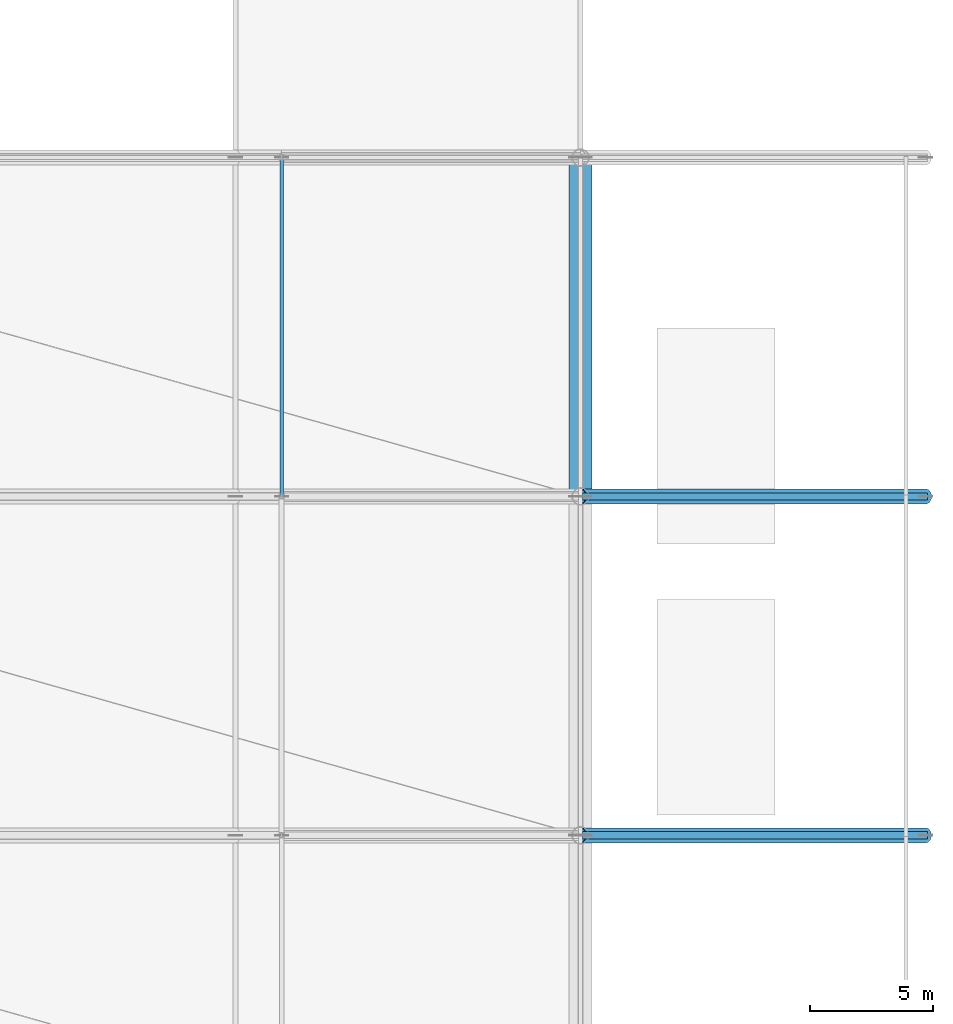
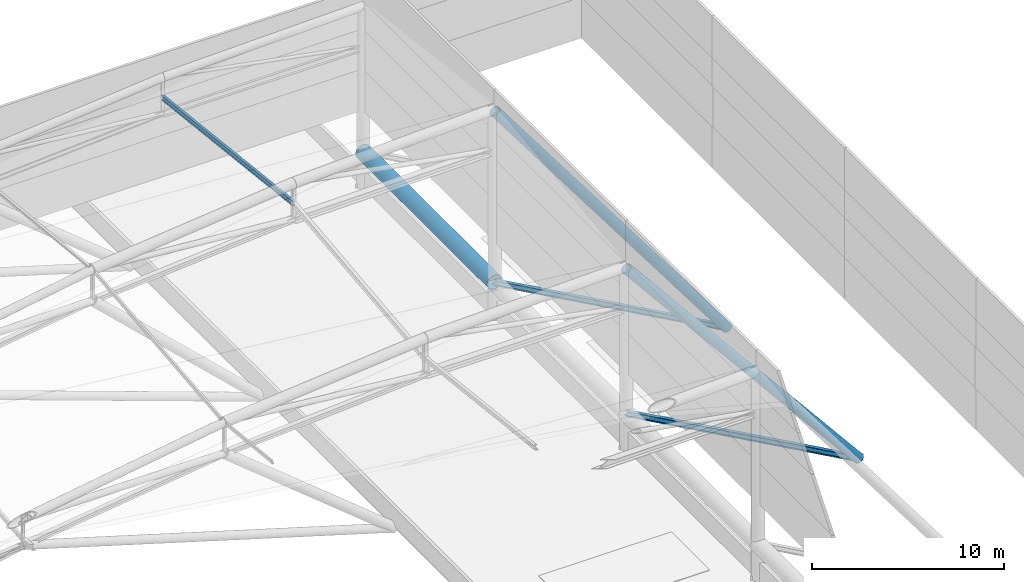
# One storey, part 52 of 113: 5 members, 1 beam.
"""IFC4 building model written with IfcOpenShell, lengths in metres."""

import ifcopenshell
import ifcopenshell.guid

model = None  # the IFC model being written
_history = None  # IfcOwnerHistory: only IFC2X3 demands one
_inside = {}  # id of a spatial element -> (the spatial element, [elements in it])
_under = {}  # id of a project, library or spatial element -> (it, [spatial elements below it])
_declared = {}  # id of a project -> (the project, [libraries it declares])
_typed = {}  # id of a type object -> (the type object, [elements of that type])
_made_of = {}  # id of a material, layer set ... -> (it, [elements and type objects made of it])


def new_model(schema):
    """Start an empty IFC model of exactly this schema.

    Asked for "IFC4X3", IfcOpenShell would pick the latest addendum, in which some entities
    have other attributes; the version numbers below select the first issue.
    IFC2X3 requires an IfcOwnerHistory on every rooted entity: one is made here for all.
    """
    global model, _history
    if schema == "IFC4X3":
        model = ifcopenshell.file(schema_version=(4, 3, 0, 0))
    else:
        model = ifcopenshell.file(schema=schema)
    _inside.clear()
    _under.clear()
    _declared.clear()
    _typed.clear()
    _made_of.clear()
    _history = None
    if model.schema == "IFC2X3":
        org = make("IfcOrganization", Name="unknown")
        user = make(
            "IfcPersonAndOrganization",
            ThePerson=make("IfcPerson", FamilyName="unknown"),
            TheOrganization=org,
        )
        app = make(
            "IfcApplication",
            ApplicationDeveloper=org,
            Version="unknown",
            ApplicationFullName="unknown",
            ApplicationIdentifier="unknown",
        )
        _history = make(
            "IfcOwnerHistory",
            OwningUser=user,
            OwningApplication=app,
            ChangeAction="ADDED",
            CreationDate=0,
        )
    return model


def make(cls, **values):
    """One entity of the class cls with the attributes given. An attribute that is None is left unset."""
    return model.create_entity(
        cls, **{name: value for name, value in values.items() if value is not None}
    )


def rooted(cls, **values):
    """An entity with a GlobalId (a new one), such as an element, a storey or a relation."""
    return make(cls, GlobalId=ifcopenshell.guid.new(), OwnerHistory=_history, **values)


def si_unit(unit_type, name, prefix=None):
    """IfcSIUnit, for example si_unit("LENGTHUNIT", "METRE", prefix="MILLI")."""
    return make("IfcSIUnit", UnitType=unit_type, Prefix=prefix, Name=name)


def assignment(units):
    """IfcUnitAssignment: the units of a project."""
    return None if units is None else make("IfcUnitAssignment", Units=units)


def point(xyz):
    """IfcCartesianPoint."""
    return None if xyz is None else make("IfcCartesianPoint", Coordinates=xyz)


def direction(xyz):
    """IfcDirection."""
    return None if xyz is None else make("IfcDirection", DirectionRatios=xyz)


def frame(location, z_axis=None, x_axis=None):
    """IfcAxis2Placement3D, a coordinate frame: its origin and axes. An axis left out is left unset."""
    return make(
        "IfcAxis2Placement3D",
        Location=point(location),
        Axis=direction(z_axis),
        RefDirection=direction(x_axis),
    )


def frame_2d(location, x_axis=None):
    """IfcAxis2Placement2D, a coordinate frame in the plane: its origin and x axis."""
    return make(
        "IfcAxis2Placement2D", Location=point(location), RefDirection=direction(x_axis)
    )


def origin():
    """The frame at (0, 0, 0) with its axes left unset."""
    return frame((0.0, 0.0, 0.0))


def origin_2d():
    """The frame at (0, 0) in the plane with its x axis left unset."""
    return frame_2d((0.0, 0.0))


def place(relative_to, where):
    """IfcLocalPlacement: puts the frame where relative to a parent placement (None: the world)."""
    return make(
        "IfcLocalPlacement", PlacementRelTo=relative_to, RelativePlacement=where
    )


def context(
    kind, dimensions, precision=None, world=None, true_north=None, identifier=None
):
    """IfcGeometricRepresentationContext, for example the 3D "Model" context."""
    return make(
        "IfcGeometricRepresentationContext",
        ContextIdentifier=identifier,
        ContextType=kind,
        CoordinateSpaceDimension=dimensions,
        Precision=precision,
        WorldCoordinateSystem=world,
        TrueNorth=true_north,
    )


def subcontext(parent, identifier, kind, view, scale=None):
    """IfcGeometricRepresentationSubContext, for example "Body" below "Model"."""
    return make(
        "IfcGeometricRepresentationSubContext",
        ContextIdentifier=identifier,
        ContextType=kind,
        ParentContext=parent,
        TargetScale=scale,
        TargetView=view,
    )


def project(units=None, contexts=None):
    """IfcProject with its units and contexts."""
    return rooted(
        "IfcProject",
        Name="project",
        RepresentationContexts=contexts,
        UnitsInContext=assignment(units),
    )


def spatial(cls, under=None, at=None, **own):
    """A site, building, storey or space (cls), placed at a placement, below another one or the project."""
    s = rooted(cls, ObjectPlacement=at, **own)
    if under is not None:
        _under.setdefault(under.id(), (under, []))[1].append(s)
    return s


def profile(cls, at=None, kind="AREA", **sizes):
    """A parametric profile (cls). Its sizes go by their IFC names, for example OverallWidth=200.0."""
    return make(cls, ProfileType=kind, Position=at, **sizes)


def hollow_circle(**sizes):
    """IfcCircleHollowProfileDef."""
    return profile("IfcCircleHollowProfileDef", **sizes)


def i_section(**sizes):
    """IfcIShapeProfileDef."""
    return profile("IfcIShapeProfileDef", **sizes)


def extrude(swept, where, along, depth):
    """IfcExtrudedAreaSolid: the profile swept, set in the frame where, extruded along a direction by depth."""
    return make(
        "IfcExtrudedAreaSolid",
        SweptArea=swept,
        Position=where,
        ExtrudedDirection=direction(along),
        Depth=depth,
    )


def shape(context_of_items, identifier, shape_type, items):
    """IfcShapeRepresentation: the items that make up one representation, for example the "Body"."""
    return make(
        "IfcShapeRepresentation",
        ContextOfItems=context_of_items,
        RepresentationIdentifier=identifier,
        RepresentationType=shape_type,
        Items=items,
    )


def material(Name=None, Category=None):
    """IfcMaterial."""
    return make("IfcMaterial", Name=Name, Category=Category)


def material_profile(
    of_material, cross_section, Name=None, Category=None, Priority=None
):
    """IfcMaterialProfile: a cross section and its material."""
    return make(
        "IfcMaterialProfile",
        Name=Name,
        Material=of_material,
        Profile=cross_section,
        Priority=Priority,
        Category=Category,
    )


def profile_set(profiles, Name=None, composite=None):
    """IfcMaterialProfileSet."""
    return make(
        "IfcMaterialProfileSet",
        Name=Name,
        MaterialProfiles=profiles,
        CompositeProfile=composite,
    )


def made_of(thing, what):
    """Note that an element or type object is made of a material, layer set ...; save() writes the relation."""
    if what is not None:
        _made_of.setdefault(what.id(), (what, []))[1].append(thing)
    return thing


def type_object(cls, material=None, **own):
    """A type object (cls), such as IfcWallType, which elements share."""
    return made_of(rooted(cls, **own), material)


def element(
    cls,
    number,
    at=None,
    inside=None,
    cuts=None,
    type_object=None,
    material=None,
    context=None,
    identifier="Body",
    shape_type=None,
    held_by="IfcProductDefinitionShape",
    body=None,
    shapes=None,
    **own,
):
    """One element of the class cls, such as IfcWall. Its Tag is "e" and its number.

    at: its placement. inside: the storey or other place that contains it. cuts: it is an
    opening in that element (IfcRelVoidsElement). A single representation is given by context,
    identifier, shape_type and body (its items); several are given by shapes. held_by: the class
    of the entity that holds the representations. save() writes the other relations.
    """
    e = rooted(cls, Tag="e%d" % number, ObjectPlacement=at, **own)
    if body is not None:
        shapes = [shape(context, identifier, shape_type, body)]
    if shapes is not None:
        e.Representation = make(held_by, Representations=shapes)
    if inside is not None:
        _inside.setdefault(inside.id(), (inside, []))[1].append(e)
    if cuts is not None:
        rooted(
            "IfcRelVoidsElement", RelatingBuildingElement=cuts, RelatedOpeningElement=e
        )
    if type_object is not None:
        _typed.setdefault(type_object.id(), (type_object, []))[1].append(e)
    return made_of(e, material)


def aggregate(whole, parts):
    """IfcRelAggregates: a whole, such as a stair, and the parts it consists of."""
    return rooted("IfcRelAggregates", RelatingObject=whole, RelatedObjects=parts)


def save(model, path):
    """Write the relations noted so far, then the file.

    IfcRelAggregates (storeys below a building ...), IfcRelContainedInSpatialStructure (elements
    in a storey), IfcRelDefinesByType, IfcRelAssociatesMaterial and IfcRelDeclares: one each for
    every whole, place, type object, material and project.
    """
    for whole, parts in _under.values():
        aggregate(whole, parts)
    for where, things in _inside.values():
        rooted(
            "IfcRelContainedInSpatialStructure",
            RelatedElements=things,
            RelatingStructure=where,
        )
    for kind, things in _typed.values():
        rooted("IfcRelDefinesByType", RelatedObjects=things, RelatingType=kind)
    for what, things in _made_of.values():
        rooted("IfcRelAssociatesMaterial", RelatedObjects=things, RelatingMaterial=what)
    for by, libraries in _declared.values():
        rooted("IfcRelDeclares", RelatingContext=by, RelatedDefinitions=libraries)
    model.write(path)


model = new_model("IFC4")

# Units and contexts
model_context = context("Model", 3, precision=1e-05, world=origin(), true_north=direction((0.0, 1.0)))
body_context = subcontext(model_context, "Body", "Model", "MODEL_VIEW")
ifc_project = project(units=[si_unit("LENGTHUNIT", "METRE"), si_unit("AREAUNIT", "SQUARE_METRE"), si_unit("VOLUMEUNIT", "CUBIC_METRE"), si_unit("PLANEANGLEUNIT", "RADIAN"), si_unit("MASSUNIT", "GRAM", prefix="KILO")], contexts=[model_context])

# Site, building, storey
site_placement = place(None, origin())
site = spatial("IfcSite", under=ifc_project, at=site_placement, CompositionType="ELEMENT")
building_placement = place(site_placement, origin())
building = spatial("IfcBuilding", under=site, at=building_placement, Name="Linyun Crest Stadium", CompositionType="ELEMENT")
storey_placement = place(building_placement, frame((0.0, 0.0, 26.39990234375)))
storey = spatial("IfcBuildingStorey", under=building, at=storey_placement, Name="L06", CompositionType="ELEMENT", Elevation=26.39990234375)

# Beam
ifc_material_1 = material(Name="Steel Q420C", Category="steel")
ifc_material_profile_1 = material_profile(ifc_material_1, hollow_circle(Radius=0.45703125, WallThickness=0.0380859375, at=origin_2d()), Name="CHS 914x38")
ifc_profile_set_1 = profile_set([ifc_material_profile_1], Name="Steel Q420C")
beam_type = type_object("IfcBeamType", Name="HB02", PredefinedType="USERDEFINED", material=ifc_profile_set_1)
beam_placement = place(storey_placement, frame((84.0, 29.625, 2.18505859375), z_axis=(0.0, 1.0, 0.0), x_axis=(-1.0, 0.0, 0.0)))
element("IfcBeam", 1, at=beam_placement, inside=storey, type_object=beam_type, Name="Roof Outer compression ring beam HB02 V2 28", ObjectType="RING BEAM", PredefinedType="USERDEFINED", context=body_context, shape_type="SweptSolid", body=[
    extrude(hollow_circle(Radius=0.45703125, WallThickness=0.0380859375, at=origin_2d()), origin(), (0.0, 0.0, 1.0), 13.75),
])

# Members
ifc_material_2 = material(Name="Steel Q355B", Category="steel")
ifc_material_profile_2 = material_profile(ifc_material_2, i_section(OverallWidth=0.14990234375, OverallDepth=0.300048828125, WebThickness=0.007080078125, FlangeThickness=0.009033203125, at=origin_2d()), Name="HN 300x150")
ifc_profile_set_2 = profile_set([ifc_material_profile_2], Name="Steel Q355B")
member_type_1 = type_object("IfcMemberType", Name="PR01", PredefinedType="PURLIN", material=ifc_profile_set_2)
member_1_placement = place(storey_placement, frame((71.875, 29.625, 11.466064453125), z_axis=(0.0, 0.993690086648, -0.112160651293), x_axis=(-1.0, 0.0, 0.0)))
element("IfcMember", 2, at=member_1_placement, inside=storey, type_object=member_type_1, Name="Roof canopy purlin PR01 V2 357", PredefinedType="PURLIN", context=body_context, shape_type="SweptSolid", body=[
    extrude(i_section(OverallWidth=0.14990234375, OverallDepth=0.300048828125, WebThickness=0.007080078125, FlangeThickness=0.009033203125, at=origin_2d()), origin(), (0.0, 0.0, 1.0), 13.83740234375),
])
ifc_material_3 = material(Name="Steel Q420C", Category="steel")
ifc_material_profile_3 = material_profile(ifc_material_3, hollow_circle(Radius=0.304931640625, WallThickness=0.030029296875, at=origin_2d()), Name="CHS 610x30")
ifc_profile_set_3 = profile_set([ifc_material_profile_3], Name="Steel Q420C")
member_type_2 = type_object("IfcMemberType", Name="TC02", PredefinedType="CHORD", material=ifc_profile_set_3)
member_2_placement = place(storey_placement, frame((84.0, 15.875, 11.400146484375), z_axis=(0.635707252861, 0.0, -0.771930235617), x_axis=(0.0, 1.0, 0.0)))
element("IfcMember", 3, at=member_2_placement, inside=storey, type_object=member_type_2, Name="Roof truss back-stay chord TC02 V2 276", PredefinedType="CHORD", context=body_context, shape_type="SweptSolid", body=[
    extrude(hollow_circle(Radius=0.304931640625, WallThickness=0.030029296875, at=origin_2d()), origin(), (0.0, 0.0, 1.0), 22.022705078125),
])
member_3_placement = place(storey_placement, frame((84.0, 29.625, 13.10009765625), z_axis=(0.599315851655, 0.0, -0.800512654463), x_axis=(0.0, 1.0, 0.0)))
element("IfcMember", 4, at=member_3_placement, inside=storey, type_object=member_type_2, Name="Roof truss back-stay chord TC02 V2 295", PredefinedType="CHORD", context=body_context, shape_type="SweptSolid", body=[
    extrude(hollow_circle(Radius=0.304931640625, WallThickness=0.030029296875, at=origin_2d()), origin(), (0.0, 0.0, 1.0), 23.35986328125),
])
ifc_material_4 = material(Name="Steel Q355C", Category="steel")
ifc_material_profile_4 = material_profile(ifc_material_4, i_section(OverallWidth=0.300048828125, OverallDepth=0.300048828125, WebThickness=0.010009765625, FlangeThickness=0.014892578125, at=origin_2d()), Name="HW 300x300")
ifc_profile_set_4 = profile_set([ifc_material_profile_4], Name="Steel Q355C")
member_type_3 = type_object("IfcMemberType", Name="TC03", PredefinedType="CHORD", material=ifc_profile_set_4)
for number, where, z_axis, x_axis, name in (
    (5, (84.0, 15.875, 2.18505859375), (0.873968137748, 0.0, -0.485983224197), (0.0, 1.0, 0.0), "Roof truss lower back-span chord TC03 V2 277"),
    (6, (84.0, 29.625, 2.18505859375), (0.873968137748, 0.0, -0.485983224197), (0.0, 1.0, 0.0), "Roof truss lower back-span chord TC03 V2 296"),
):
    element("IfcMember", number, at=place(storey_placement, frame(where, z_axis=z_axis, x_axis=x_axis)), inside=storey, type_object=member_type_3, Name=name, PredefinedType="CHORD", context=body_context, shape_type="SweptSolid", body=[
        extrude(i_section(OverallWidth=0.300048828125, OverallDepth=0.300048828125, WebThickness=0.010009765625, FlangeThickness=0.014892578125, at=origin_2d()), origin(), (0.0, 0.0, 1.0), 16.018798828125),
    ])

save(model, "model.ifc")
